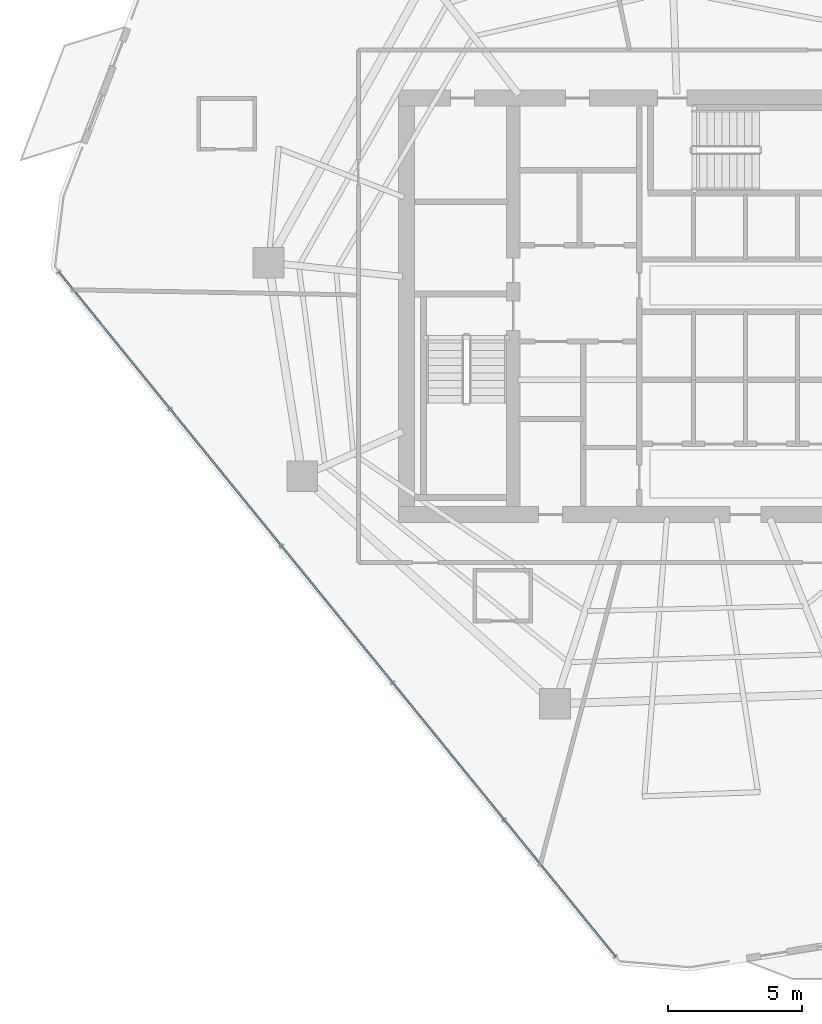
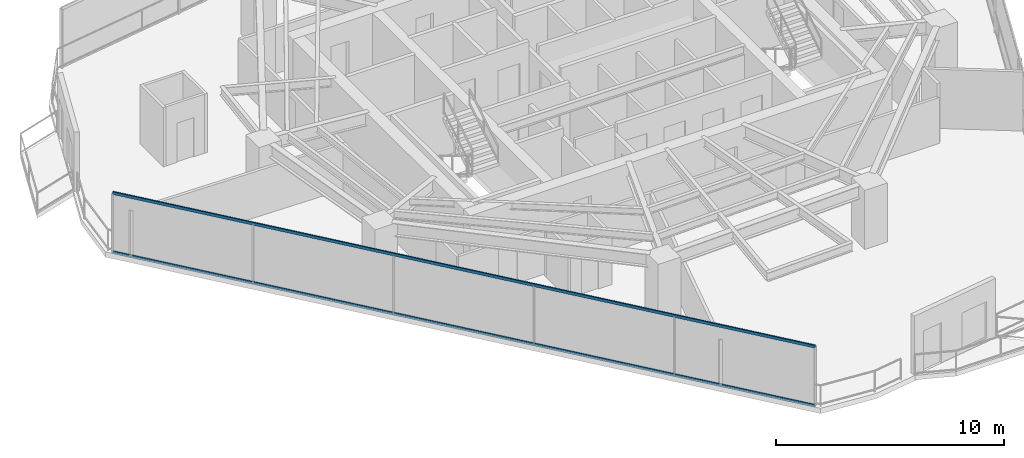
# One storey, part 3 of 27: 2 members, 1 element without a shape of its own.
"""IFC4 building model written with IfcOpenShell, lengths in metres."""

from ifc_helpers import new_model, si_unit, direction, frame, origin, origin_2d, place, context, subcontext, project, spatial, hollow_rectangle, extrude, material, layer, layer_set, material_profile, profile_set, type_object, element, aggregate, save


model = new_model("IFC4")

# Units and contexts
model_context = context("Model", 3, precision=1e-05, world=origin(), true_north=direction((0.0, 1.0)))
body_context = subcontext(model_context, "Body", "Model", "MODEL_VIEW")
ifc_project = project(units=[si_unit("LENGTHUNIT", "METRE"), si_unit("AREAUNIT", "SQUARE_METRE"), si_unit("VOLUMEUNIT", "CUBIC_METRE"), si_unit("PLANEANGLEUNIT", "RADIAN"), si_unit("MASSUNIT", "GRAM", prefix="KILO")], contexts=[model_context])

# Site, building, storey
site_placement = place(None, origin())
site = spatial("IfcSite", under=ifc_project, at=site_placement, CompositionType="ELEMENT")
building_placement = place(site_placement, origin())
building = spatial("IfcBuilding", under=site, at=building_placement, Name="Qarnah Convention Tower", CompositionType="ELEMENT")
storey_placement = place(building_placement, frame((0.0, 0.0, 100.5)))
storey = spatial("IfcBuildingStorey", under=building, at=storey_placement, Name="L26", CompositionType="ELEMENT", Elevation=100.5)

# Curtain wall, members
ifc_material_1 = material(Name="Tempered Low-E dark glass", Category="glass")
ifc_layer = layer(ifc_material_1, 0.169921875)
ifc_layer_set = layer_set([ifc_layer], Name="Tempered Low-E dark glass")
curtain_wall_type = type_object("IfcCurtainWallType", Name="CWS-02", PredefinedType="NOTDEFINED", material=ifc_layer_set)
curtain_wall_placement = place(storey_placement, origin())
curtain_wall = element("IfcCurtainWall", 1, at=curtain_wall_placement, inside=storey, type_object=curtain_wall_type, Name="L26 unitised curtain wall CW-L26-F2", PredefinedType="NOTDEFINED")
ifc_material_2 = material(Name="Black anodised aluminium", Category="aluminium")
ifc_material_profile = material_profile(ifc_material_2, hollow_rectangle(XDim=0.06494140625, YDim=0.14990234375, WallThickness=0.00390625, at=origin_2d()), Name="TRN-65X150")
ifc_profile_set = profile_set([ifc_material_profile], Name="Black anodised aluminium")
member_type = type_object("IfcMemberType", Name="TRN-T2", PredefinedType="USERDEFINED", material=ifc_profile_set)
member_1_placement = place(storey_placement, frame((34.6259765625, 2.051025390625, 0.0), z_axis=(-0.630940574514, 0.775831161679, 0.0), x_axis=(-0.775831161679, -0.630940574514, 0.0)))
member_1 = element("IfcMember", 2, at=member_1_placement, type_object=member_type, Name="CW-L26-F2 transom 1", ObjectType="TRANSOM", PredefinedType="USERDEFINED", context=body_context, shape_type="SweptSolid", body=[
    extrude(hollow_rectangle(XDim=0.06494140625, YDim=0.14990234375, WallThickness=0.00390625, at=origin_2d()), origin(), (0.0, 0.0, 1.0), 33.03955078125),
])
member_2_placement = place(storey_placement, frame((34.6259765625, 2.051025390625, 3.169921875), z_axis=(-0.630940574514, 0.775831161679, 0.0), x_axis=(-0.775831161679, -0.630940574514, 0.0)))
member_2 = element("IfcMember", 3, at=member_2_placement, type_object=member_type, Name="CW-L26-F2 transom 2", ObjectType="TRANSOM", PredefinedType="USERDEFINED", context=body_context, shape_type="SweptSolid", body=[
    extrude(hollow_rectangle(XDim=0.06494140625, YDim=0.14990234375, WallThickness=0.00390625, at=origin_2d()), origin(), (0.0, 0.0, 1.0), 33.03955078125),
])
aggregate(curtain_wall, [member_1, member_2])

save(model, "model.ifc")
